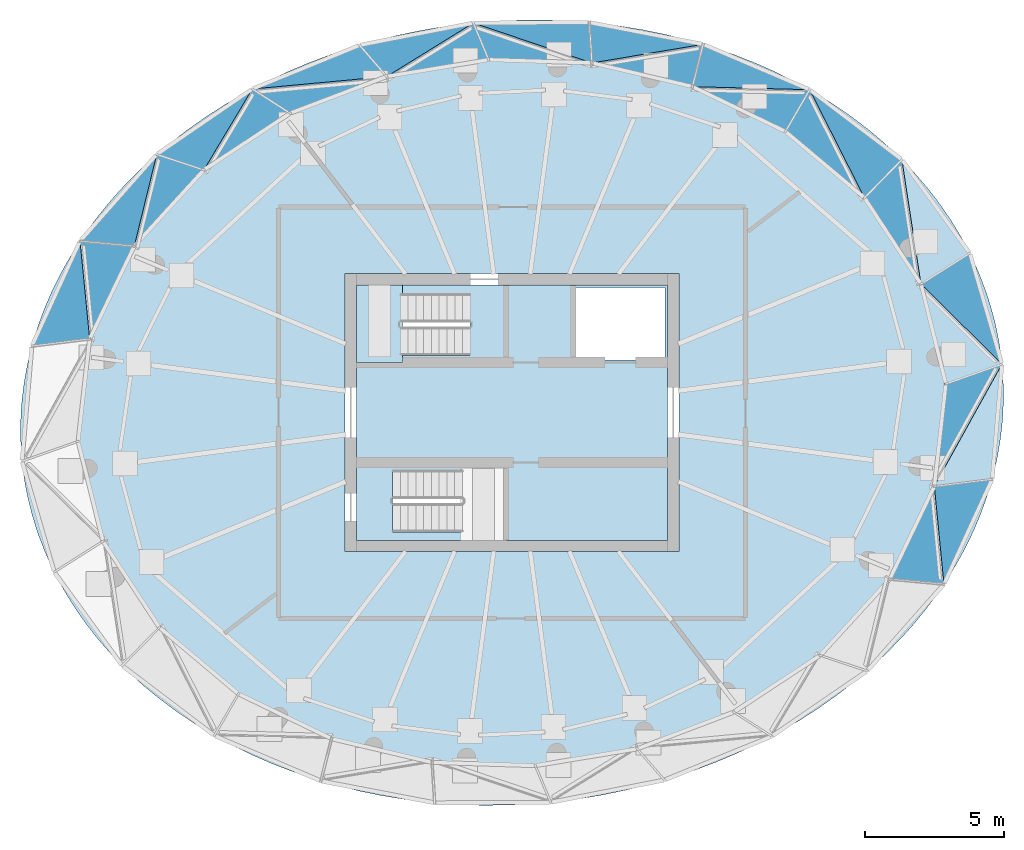
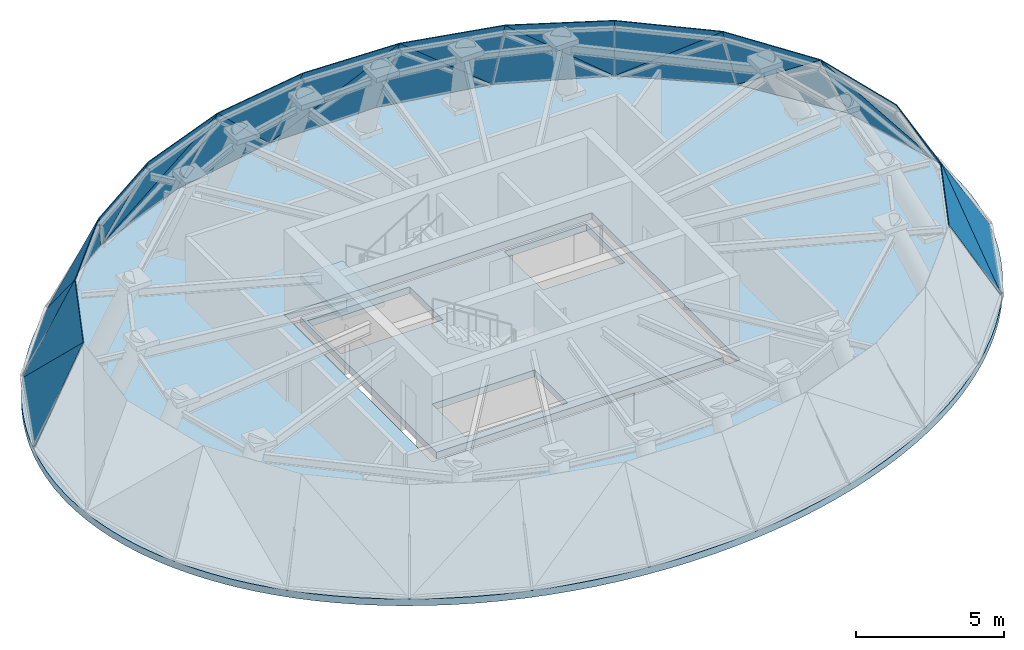
# One storey, part 6 of 9: 26 plates, 3 slabs, 27 elements without a shape of their own.
"""IFC4 building model written with IfcOpenShell, lengths in metres."""

from ifc_helpers import new_model, si_unit, direction, frame, origin, place, context, subcontext, project, spatial, line, indexed_curve, outline, extrude, material, layer, layer_set, type_object, element, aggregate, save


model = new_model("IFC4")

# Units and contexts
model_context = context("Model", 3, precision=1e-05, world=origin(), true_north=direction((0.0, 1.0)))
body_context = subcontext(model_context, "Body", "Model", "MODEL_VIEW")
ifc_project = project(units=[si_unit("LENGTHUNIT", "METRE"), si_unit("AREAUNIT", "SQUARE_METRE"), si_unit("VOLUMEUNIT", "CUBIC_METRE"), si_unit("PLANEANGLEUNIT", "RADIAN"), si_unit("MASSUNIT", "GRAM", prefix="KILO")], contexts=[model_context])

# Site, building, storey
site_placement = place(None, origin())
site = spatial("IfcSite", under=ifc_project, at=site_placement, CompositionType="ELEMENT")
building_placement = place(site_placement, origin())
building = spatial("IfcBuilding", under=site, at=building_placement, Name="Spindrift Exchange Tower", CompositionType="ELEMENT")
storey_placement = place(building_placement, frame((0.0, 0.0, 276.60009765625)))
storey = spatial("IfcBuildingStorey", under=building, at=storey_placement, Name="L68", CompositionType="ELEMENT", Elevation=276.60009765625)

# Curtain wall, plate
ifc_material_1 = material(Name="Fritted laminated glass with bronze frame", Category="glass")
ifc_layer_1 = layer(ifc_material_1, 0.14990234375)
ifc_layer_set_1 = layer_set([ifc_layer_1], Name="CROWN BRONZE RAKED GLAZED WALL")
curtain_wall_type = type_object("IfcCurtainWallType", Name="CROWN BRONZE RAKED GLAZED WALL", PredefinedType="NOTDEFINED", material=ifc_layer_set_1)
curtain_wall_1_placement = place(storey_placement, origin())
curtain_wall_1 = element("IfcCurtainWall", 1, at=curtain_wall_1_placement, inside=storey, type_object=curtain_wall_type, Name="L68 Crown Bronze Raked Glazed Wall facet 1", PredefinedType="NOTDEFINED")
ifc_material_2 = material(Name="Bronze fritted laminated glass, close frit", Category="glass")
ifc_layer_2 = layer(ifc_material_2, 0.030029296875)
ifc_layer_set_2 = layer_set([ifc_layer_2], Name="CROWN BRONZE RAKED GLAZED WALL PANEL CLOSE FRIT 300")
plate_type_1 = type_object("IfcPlateType", Name="CROWN BRONZE RAKED GLAZED WALL PANEL CLOSE FRIT 300", PredefinedType="CURTAIN_PANEL", material=ifc_layer_set_2)
plate_1_placement = place(storey_placement, frame((69.62939453125, 49.748046875, 0.014892578125), z_axis=(0.833367262215, 0.242302411429, 0.496778167478), x_axis=(-0.279189627312, 0.960235987662, 0.0)))
plate_1 = element("IfcPlate", 2, at=plate_1_placement, type_object=plate_type_1, Name="L68 panel CW-R.1a", PredefinedType="CURTAIN_PANEL", context=body_context, shape_type="SweptSolid", body=[
    extrude(outline(indexed_curve([(0.0, 0.0), (4.1533203125, 0.0), (3.578125, 4.015625)], segments=[line(1, 2, 3, 1)], self_intersect=False)), origin(), (0.0, 0.0, -1.0), 0.030029296875),
])
aggregate(curtain_wall_1, [plate_1])

curtain_wall_2_placement = place(storey_placement, origin())
curtain_wall_2 = element("IfcCurtainWall", 3, at=curtain_wall_2_placement, inside=storey, type_object=curtain_wall_type, Name="L68 Crown Bronze Raked Glazed Wall facet 2", PredefinedType="NOTDEFINED")
plate_2_placement = place(storey_placement, frame((69.62939453125, 49.748046875, 0.015380859375), z_axis=(0.827661235758, 0.206029914355, 0.522042673748), x_axis=(-0.541917100592, 0.535289533438, 0.647912780764)))
plate_2 = element("IfcPlate", 4, at=plate_2_placement, type_object=plate_type_1, Name="L68 panel CW-R.1b", PredefinedType="CURTAIN_PANEL", context=body_context, shape_type="SweptSolid", body=[
    extrude(outline(indexed_curve([(0.0, 0.0), (5.3779296875, 0.0), (2.9697265625, 2.8134765625)], segments=[line(1, 2, 3, 1)], self_intersect=False)), origin(), (0.0, 0.0, -1.0), 0.030029296875),
])
aggregate(curtain_wall_2, [plate_2])

curtain_wall_3_placement = place(storey_placement, origin())
curtain_wall_3 = element("IfcCurtainWall", 5, at=curtain_wall_3_placement, inside=storey, type_object=curtain_wall_type, Name="L68 Crown Bronze Raked Glazed Wall facet 13", PredefinedType="NOTDEFINED")
plate_3_placement = place(storey_placement, frame((50.60986328125, 62.020263671875, 0.01025390625), z_axis=(-0.17989175507, 0.920318972764, 0.347349888194), x_axis=(-0.981426932005, -0.19183632903, 0.0)))
plate_3 = element("IfcPlate", 6, at=plate_3_placement, type_object=plate_type_1, Name="L68 panel CW-R.7a", PredefinedType="CURTAIN_PANEL", context=body_context, shape_type="SweptSolid", body=[
    extrude(outline(indexed_curve([(0.0, 0.0), (4.1708984375, 0.0), (3.4296875, 3.7216796875)], segments=[line(1, 2, 3, 1)], self_intersect=False)), origin(), (0.0, 0.0, -1.0), 0.030029296875),
])
aggregate(curtain_wall_3, [plate_3])

curtain_wall_4_placement = place(storey_placement, origin())
curtain_wall_4 = element("IfcCurtainWall", 7, at=curtain_wall_4_placement, inside=storey, type_object=curtain_wall_type, Name="L68 Crown Bronze Raked Glazed Wall facet 14", PredefinedType="NOTDEFINED")
plate_4_placement = place(storey_placement, frame((50.60986328125, 62.020263671875, 0.010986328125), z_axis=(-0.151004470374, 0.916272682918, 0.371001375287), x_axis=(-0.616129744322, -0.380726688523, 0.689515283955)))
plate_4 = element("IfcPlate", 8, at=plate_4_placement, type_object=plate_type_1, Name="L68 panel CW-R.7b", PredefinedType="CURTAIN_PANEL", context=body_context, shape_type="SweptSolid", body=[
    extrude(outline(indexed_curve([(0.0, 0.0), (5.060546875, 0.0), (2.5703125, 2.759765625)], segments=[line(1, 2, 3, 1)], self_intersect=False)), origin(), (0.0, 0.0, -1.0), 0.030029296875),
])
aggregate(curtain_wall_4, [plate_4])

curtain_wall_5_placement = place(storey_placement, origin())
curtain_wall_5 = element("IfcCurtainWall", 9, at=curtain_wall_5_placement, inside=storey, type_object=curtain_wall_type, Name="L68 Crown Bronze Raked Glazed Wall facet 19", PredefinedType="NOTDEFINED")
plate_5_placement = place(storey_placement, frame((39.21728515625, 57.2900390625, 0.01220703125), z_axis=(-0.682177391467, 0.603419434954, 0.412939453298), x_axis=(-0.662546052068, -0.749021180534, 0.0)))
plate_5 = element("IfcPlate", 10, at=plate_5_placement, type_object=plate_type_1, Name="L68 panel CW-R.10a", PredefinedType="CURTAIN_PANEL", context=body_context, shape_type="SweptSolid", body=[
    extrude(outline(indexed_curve([(0.0, 0.0), (4.1640625, 0.0), (3.0068359375, 3.8291015625)], segments=[line(1, 2, 3, 1)], self_intersect=False)), origin(), (0.0, 0.0, -1.0), 0.030029296875),
])
aggregate(curtain_wall_5, [plate_5])

curtain_wall_6_placement = place(storey_placement, origin())
curtain_wall_6 = element("IfcCurtainWall", 11, at=curtain_wall_6_placement, inside=storey, type_object=curtain_wall_type, Name="L68 Crown Bronze Raked Glazed Wall facet 20", PredefinedType="NOTDEFINED")
plate_6_placement = place(storey_placement, frame((39.21728515625, 57.2900390625, 0.0126953125), z_axis=(-0.668869532809, 0.611074819926, 0.423321523824), x_axis=(-0.165843261079, -0.677765852279, 0.716330553752)))
plate_6 = element("IfcPlate", 12, at=plate_6_placement, type_object=plate_type_1, Name="L68 panel CW-R.10b", PredefinedType="CURTAIN_PANEL", context=body_context, shape_type="SweptSolid", body=[
    extrude(outline(indexed_curve([(0.0, 0.0), (4.8681640625, 0.0), (2.595703125, 2.935546875)], segments=[line(1, 2, 3, 1)], self_intersect=False)), origin(), (0.0, 0.0, -1.0), 0.030029296875),
])
aggregate(curtain_wall_6, [plate_6])

curtain_wall_7_placement = place(storey_placement, origin())
curtain_wall_7 = element("IfcCurtainWall", 13, at=curtain_wall_7_placement, inside=storey, type_object=curtain_wall_type, Name="L68 Crown Bronze Raked Glazed Wall facet 5", PredefinedType="NOTDEFINED")
ifc_layer_3 = layer(ifc_material_2, 0.030029296875)
ifc_layer_set_3 = layer_set([ifc_layer_3], Name="CROWN BRONZE RAKED GLAZED WALL PANEL CLOSE FRIT 420")
plate_type_2 = type_object("IfcPlateType", Name="CROWN BRONZE RAKED GLAZED WALL PANEL CLOSE FRIT 420", PredefinedType="CURTAIN_PANEL", material=ifc_layer_set_3)
plate_7_placement = place(storey_placement, frame((62.709716796875, 59.619384765625, 0.014404296875), z_axis=(0.530183837166, 0.698871681371, 0.480086941903), x_axis=(0.796688350583, -0.604390330867, 0.0)))
plate_7 = element("IfcPlate", 14, at=plate_7_placement, type_object=plate_type_2, Name="L68 panel CW-R.3a", PredefinedType="CURTAIN_PANEL", context=body_context, shape_type="SweptSolid", body=[
    extrude(outline(indexed_curve([(0.0, 0.0), (4.1640625, 0.0), (3.923828125, -3.9736328125)], segments=[line(1, 2, 3, 1)], self_intersect=False)), origin(), (0.0, 0.0, -1.0), 0.030029296875),
])
aggregate(curtain_wall_7, [plate_7])

curtain_wall_8_placement = place(storey_placement, origin())
curtain_wall_8 = element("IfcCurtainWall", 15, at=curtain_wall_8_placement, inside=storey, type_object=curtain_wall_type, Name="L68 Crown Bronze Raked Glazed Wall facet 6", PredefinedType="NOTDEFINED")
plate_8_placement = place(storey_placement, frame((62.709716796875, 59.619384765625, 0.01318359375), z_axis=(0.57727073069, 0.687494135701, 0.440579523883), x_axis=(0.353256855509, -0.696721663544, 0.624330455436)))
plate_8 = element("IfcPlate", 16, at=plate_8_placement, type_object=plate_type_2, Name="L68 panel CW-R.3b", PredefinedType="CURTAIN_PANEL", context=body_context, shape_type="SweptSolid", body=[
    extrude(outline(indexed_curve([(0.0, 0.0), (5.5849609375, 0.0), (2.9169921875, -2.58203125)], segments=[line(1, 2, 3, 1)], self_intersect=False)), origin(), (0.0, 0.0, -1.0), 0.030029296875),
])
aggregate(curtain_wall_8, [plate_8])

curtain_wall_9_placement = place(storey_placement, origin())
curtain_wall_9 = element("IfcCurtainWall", 17, at=curtain_wall_9_placement, inside=storey, type_object=curtain_wall_type, Name="L68 Crown Bronze Raked Glazed Wall facet 7", PredefinedType="NOTDEFINED")
plate_9_placement = place(storey_placement, frame((62.709716796875, 59.619384765625, 0.01220703125), z_axis=(0.358110786117, 0.840604992789, 0.406374102232), x_axis=(-0.919994254775, 0.391931845072, 0.0)))
plate_9 = element("IfcPlate", 18, at=plate_9_placement, type_object=plate_type_2, Name="L68 panel CW-R.4a", PredefinedType="CURTAIN_PANEL", context=body_context, shape_type="SweptSolid", body=[
    extrude(outline(indexed_curve([(0.0, 0.0), (4.16796875, 0.0), (3.921875, 3.8173828125)], segments=[line(1, 2, 3, 1)], self_intersect=False)), origin(), (0.0, 0.0, -1.0), 0.030029296875),
])
aggregate(curtain_wall_9, [plate_9])

curtain_wall_10_placement = place(storey_placement, origin())
curtain_wall_10 = element("IfcCurtainWall", 19, at=curtain_wall_10_placement, inside=storey, type_object=curtain_wall_type, Name="L68 Crown Bronze Raked Glazed Wall facet 8", PredefinedType="NOTDEFINED")
plate_10_placement = place(storey_placement, frame((62.709716796875, 59.619384765625, 0.01318359375), z_axis=(0.389062051822, 0.806607847871, 0.444988201623), x_axis=(-0.770466512361, 0.020120463062, 0.637162867952)))
plate_10 = element("IfcPlate", 20, at=plate_10_placement, type_object=plate_type_2, Name="L68 panel CW-R.4b", PredefinedType="CURTAIN_PANEL", context=body_context, shape_type="SweptSolid", body=[
    extrude(outline(indexed_curve([(0.0, 0.0), (5.47265625, 0.0), (2.861328125, 2.6435546875)], segments=[line(1, 2, 3, 1)], self_intersect=False)), origin(), (0.0, 0.0, -1.0), 0.030029296875),
])
aggregate(curtain_wall_10, [plate_10])

curtain_wall_11_placement = place(storey_placement, origin())
curtain_wall_11 = element("IfcCurtainWall", 21, at=curtain_wall_11_placement, inside=storey, type_object=curtain_wall_type, Name="L68 Crown Bronze Raked Glazed Wall facet 9", PredefinedType="NOTDEFINED")
plate_11_placement = place(storey_placement, frame((58.875244140625, 61.2529296875, 0.010986328125), z_axis=(0.174809687081, 0.910247771411, 0.375353923576), x_axis=(-0.982054026779, 0.188599810413, 0.0)))
plate_11 = element("IfcPlate", 22, at=plate_11_placement, type_object=plate_type_2, Name="L68 panel CW-R.5a", PredefinedType="CURTAIN_PANEL", context=body_context, shape_type="SweptSolid", body=[
    extrude(outline(indexed_curve([(0.0, 0.0), (4.169921875, 0.0), (3.80078125, 3.7646484375)], segments=[line(1, 2, 3, 1)], self_intersect=False)), origin(), (0.0, 0.0, -1.0), 0.030029296875),
])
aggregate(curtain_wall_11, [plate_11])

curtain_wall_12_placement = place(storey_placement, origin())
curtain_wall_12 = element("IfcCurtainWall", 23, at=curtain_wall_12_placement, inside=storey, type_object=curtain_wall_type, Name="L68 Crown Bronze Raked Glazed Wall facet 10", PredefinedType="NOTDEFINED")
plate_12_placement = place(storey_placement, frame((58.875244140625, 61.2529296875, 0.01220703125), z_axis=(0.209209629031, 0.887508812763, 0.410559908403), x_axis=(-0.747728115877, -0.125382073881, 0.652059813419)))
plate_12 = element("IfcPlate", 24, at=plate_12_placement, type_object=plate_type_2, Name="L68 panel CW-R.5b", PredefinedType="CURTAIN_PANEL", context=body_context, shape_type="SweptSolid", body=[
    extrude(outline(indexed_curve([(0.0, 0.0), (5.3486328125, 0.0), (2.7509765625, 2.658203125)], segments=[line(1, 2, 3, 1)], self_intersect=False)), origin(), (0.0, 0.0, -1.0), 0.030029296875),
])
aggregate(curtain_wall_12, [plate_12])

curtain_wall_13_placement = place(storey_placement, origin())
curtain_wall_13 = element("IfcCurtainWall", 25, at=curtain_wall_13_placement, inside=storey, type_object=curtain_wall_type, Name="L68 Crown Bronze Raked Glazed Wall facet 21", PredefinedType="NOTDEFINED")
plate_13_placement = place(storey_placement, frame((36.458251953125, 54.1708984375, 0.013427734375), z_axis=(-0.809326647537, 0.371159165859, 0.455226593231), x_axis=(-0.416856837223, -0.908972154282, 0.0)))
plate_13 = element("IfcPlate", 26, at=plate_13_placement, type_object=plate_type_2, Name="L68 panel CW-R.11a", PredefinedType="CURTAIN_PANEL", context=body_context, shape_type="SweptSolid", body=[
    extrude(outline(indexed_curve([(0.0, 0.0), (4.1591796875, 0.0), (3.0576171875, 3.916015625)], segments=[line(1, 2, 3, 1)], self_intersect=False)), origin(), (0.0, 0.0, -1.0), 0.030029296875),
])
aggregate(curtain_wall_13, [plate_13])

curtain_wall_14_placement = place(storey_placement, origin())
curtain_wall_14 = element("IfcCurtainWall", 27, at=curtain_wall_14_placement, inside=storey, type_object=curtain_wall_type, Name="L68 Crown Bronze Raked Glazed Wall facet 22", PredefinedType="NOTDEFINED")
plate_14_placement = place(storey_placement, frame((36.458251953125, 54.1708984375, 0.013916015625), z_axis=(-0.797376216913, 0.383164639846, 0.466236021209), x_axis=(0.069587386044, -0.709044354404, 0.701721952907)))
plate_14 = element("IfcPlate", 28, at=plate_14_placement, type_object=plate_type_2, Name="L68 panel CW-R.11b", PredefinedType="CURTAIN_PANEL", context=body_context, shape_type="SweptSolid", body=[
    extrude(outline(indexed_curve([(0.0, 0.0), (4.9677734375, 0.0), (2.7099609375, 2.94140625)], segments=[line(1, 2, 3, 1)], self_intersect=False)), origin(), (0.0, 0.0, -1.0), 0.030029296875),
])
aggregate(curtain_wall_14, [plate_14])

curtain_wall_15_placement = place(storey_placement, origin())
curtain_wall_15 = element("IfcCurtainWall", 29, at=curtain_wall_15_placement, inside=storey, type_object=curtain_wall_type, Name="L68 Crown Bronze Raked Glazed Wall facet 3", PredefinedType="NOTDEFINED")
ifc_layer_4 = layer(ifc_material_2, 0.030029296875)
ifc_layer_set_4 = layer_set([ifc_layer_4], Name="CROWN BRONZE RAKED GLAZED WALL PANEL CLOSE FRIT 540")
plate_type_3 = type_object("IfcPlateType", Name="CROWN BRONZE RAKED GLAZED WALL PANEL CLOSE FRIT 540", PredefinedType="CURTAIN_PANEL", material=ifc_layer_set_4)
plate_15_placement = place(storey_placement, frame((66.02734375, 57.1025390625, 0.01513671875), z_axis=(0.695691699612, 0.504801607523, 0.511065941082), x_axis=(0.587291716411, -0.80937533928, 0.0)))
plate_15 = element("IfcPlate", 30, at=plate_15_placement, type_object=plate_type_3, Name="L68 panel CW-R.2a", PredefinedType="CURTAIN_PANEL", context=body_context, shape_type="SweptSolid", body=[
    extrude(outline(indexed_curve([(0.0, 0.0), (4.1591796875, 0.0), (4.0263671875, -4.0546875)], segments=[line(1, 2, 3, 1)], self_intersect=False)), origin(), (0.0, 0.0, -1.0), 0.030029296875),
])
aggregate(curtain_wall_15, [plate_15])

curtain_wall_16_placement = place(storey_placement, origin())
curtain_wall_16 = element("IfcCurtainWall", 31, at=curtain_wall_16_placement, inside=storey, type_object=curtain_wall_type, Name="L68 Crown Bronze Raked Glazed Wall facet 4", PredefinedType="NOTDEFINED")
plate_16_placement = place(storey_placement, frame((66.02734375, 57.1025390625, 0.01416015625), z_axis=(0.736357139507, 0.482518840373, 0.474292875533), x_axis=(0.120309655749, -0.783209023153, 0.610007551417)))
plate_16 = element("IfcPlate", 32, at=plate_16_placement, type_object=plate_type_3, Name="L68 panel CW-R.2b", PredefinedType="CURTAIN_PANEL", context=body_context, shape_type="SweptSolid", body=[
    extrude(outline(indexed_curve([(0.0, 0.0), (5.71484375, 0.0), (3.041015625, -2.5693359375)], segments=[line(1, 2, 3, 1)], self_intersect=False)), origin(), (0.0, 0.0, -1.0), 0.030029296875),
])
aggregate(curtain_wall_16, [plate_16])

curtain_wall_17_placement = place(storey_placement, origin())
curtain_wall_17 = element("IfcCurtainWall", 33, at=curtain_wall_17_placement, inside=storey, type_object=curtain_wall_type, Name="L68 Crown Bronze Raked Glazed Wall facet 11", PredefinedType="NOTDEFINED")
plate_17_placement = place(storey_placement, frame((50.60986328125, 62.020263671875, 0.011474609375), z_axis=(-0.004212998998, 0.922700793342, 0.385493834717), x_axis=(0.999989576246, 0.004565895156, 0.0)))
plate_17 = element("IfcPlate", 34, at=plate_17_placement, type_object=plate_type_3, Name="L68 panel CW-R.6a", PredefinedType="CURTAIN_PANEL", context=body_context, shape_type="SweptSolid", body=[
    extrude(outline(indexed_curve([(0.0, 0.0), (4.1708984375, 0.0), (4.2587890625, -3.7802734375)], segments=[line(1, 2, 3, 1)], self_intersect=False)), origin(), (0.0, 0.0, -1.0), 0.030029296875),
])
aggregate(curtain_wall_17, [plate_17])

curtain_wall_18_placement = place(storey_placement, origin())
curtain_wall_18 = element("IfcCurtainWall", 35, at=curtain_wall_18_placement, inside=storey, type_object=curtain_wall_type, Name="L68 Crown Bronze Raked Glazed Wall facet 12", PredefinedType="NOTDEFINED")
plate_18_placement = place(storey_placement, frame((50.60986328125, 62.020263671875, 0.010498046875), z_axis=(0.029221497888, 0.936256792323, 0.350099018694), x_axis=(0.748950690725, -0.252464921214, 0.612645351258)))
plate_18 = element("IfcPlate", 36, at=plate_18_placement, type_object=plate_type_3, Name="L68 panel CW-R.6b", PredefinedType="CURTAIN_PANEL", context=body_context, shape_type="SweptSolid", body=[
    extrude(outline(indexed_curve([(0.0, 0.0), (5.6953125, 0.0), (2.8837890625, -2.431640625)], segments=[line(1, 2, 3, 1)], self_intersect=False)), origin(), (0.0, 0.0, -1.0), 0.030029296875),
])
aggregate(curtain_wall_18, [plate_18])

curtain_wall_19_placement = place(storey_placement, origin())
curtain_wall_19 = element("IfcCurtainWall", 37, at=curtain_wall_19_placement, inside=storey, type_object=curtain_wall_type, Name="L68 Crown Bronze Raked Glazed Wall facet 15", PredefinedType="NOTDEFINED")
plate_19_placement = place(storey_placement, frame((42.656005859375, 59.644775390625, 0.010986328125), z_axis=(-0.350237796405, 0.858307843228, 0.375021509012), x_axis=(0.92588233816, 0.377811984833, 0.0)))
plate_19 = element("IfcPlate", 38, at=plate_19_placement, type_object=plate_type_3, Name="L68 panel CW-R.8a", PredefinedType="CURTAIN_PANEL", context=body_context, shape_type="SweptSolid", body=[
    extrude(outline(indexed_curve([(0.0, 0.0), (4.169921875, 0.0), (4.6474609375, -3.763671875)], segments=[line(1, 2, 3, 1)], self_intersect=False)), origin(), (0.0, 0.0, -1.0), 0.030029296875),
])
aggregate(curtain_wall_19, [plate_19])

curtain_wall_20_placement = place(storey_placement, origin())
curtain_wall_20 = element("IfcCurtainWall", 39, at=curtain_wall_20_placement, inside=storey, type_object=curtain_wall_type, Name="L68 Crown Bronze Raked Glazed Wall facet 16", PredefinedType="NOTDEFINED")
plate_20_placement = place(storey_placement, frame((42.656005859375, 59.644775390625, 0.01025390625), z_axis=(-0.33319543999, 0.875861429082, 0.349066692506), x_axis=(0.808633785814, 0.075070802772, 0.583503020568)))
plate_20 = element("IfcPlate", 40, at=plate_20_placement, type_object=plate_type_3, Name="L68 panel CW-R.8b", PredefinedType="CURTAIN_PANEL", context=body_context, shape_type="SweptSolid", body=[
    extrude(outline(indexed_curve([(0.0, 0.0), (5.98046875, 0.0), (3.072265625, -2.314453125)], segments=[line(1, 2, 3, 1)], self_intersect=False)), origin(), (0.0, 0.0, -1.0), 0.030029296875),
])
aggregate(curtain_wall_20, [plate_20])

curtain_wall_21_placement = place(storey_placement, origin())
curtain_wall_21 = element("IfcCurtainWall", 41, at=curtain_wall_21_placement, inside=storey, type_object=curtain_wall_type, Name="L68 Crown Bronze Raked Glazed Wall facet 17", PredefinedType="NOTDEFINED")
plate_21_placement = place(storey_placement, frame((42.656005859375, 59.644775390625, 0.01123046875), z_axis=(-0.523331179804, 0.764242578283, 0.37690550246), x_axis=(-0.825091672938, -0.564998877209, 0.0)))
plate_21 = element("IfcPlate", 42, at=plate_21_placement, type_object=plate_type_3, Name="L68 panel CW-R.9a", PredefinedType="CURTAIN_PANEL", context=body_context, shape_type="SweptSolid", body=[
    extrude(outline(indexed_curve([(0.0, 0.0), (4.16796875, 0.0), (3.083984375, 3.7666015625)], segments=[line(1, 2, 3, 1)], self_intersect=False)), origin(), (0.0, 0.0, -1.0), 0.030029296875),
])
aggregate(curtain_wall_21, [plate_21])

curtain_wall_22_placement = place(storey_placement, origin())
curtain_wall_22 = element("IfcCurtainWall", 43, at=curtain_wall_22_placement, inside=storey, type_object=curtain_wall_type, Name="L68 Crown Bronze Raked Glazed Wall facet 18", PredefinedType="NOTDEFINED")
plate_22_placement = place(storey_placement, frame((42.656005859375, 59.644775390625, 0.01171875), z_axis=(-0.505847046692, 0.769419981548, 0.390014945031), x_axis=(-0.357924848008, -0.598581156968, 0.716652218096)))
plate_22 = element("IfcPlate", 44, at=plate_22_placement, type_object=plate_type_3, Name="L68 panel CW-R.9b", PredefinedType="CURTAIN_PANEL", context=body_context, shape_type="SweptSolid", body=[
    extrude(outline(indexed_curve([(0.0, 0.0), (4.8671875, 0.0), (2.5341796875, 2.8916015625)], segments=[line(1, 2, 3, 1)], self_intersect=False)), origin(), (0.0, 0.0, -1.0), 0.030029296875),
])
aggregate(curtain_wall_22, [plate_22])

curtain_wall_23_placement = place(storey_placement, origin())
curtain_wall_23 = element("IfcCurtainWall", 45, at=curtain_wall_23_placement, inside=storey, type_object=curtain_wall_type, Name="L68 Crown Bronze Raked Glazed Wall facet 45", PredefinedType="NOTDEFINED")
plate_23_placement = place(storey_placement, frame((67.541748046875, 41.8291015625, 0.013427734375), z_axis=(0.809326647537, -0.371159165859, 0.455226593231), x_axis=(0.416856837223, 0.908972154282, 0.0)))
plate_23 = element("IfcPlate", 46, at=plate_23_placement, type_object=plate_type_3, Name="L68 panel CW-R.23a", PredefinedType="CURTAIN_PANEL", context=body_context, shape_type="SweptSolid", body=[
    extrude(outline(indexed_curve([(0.0, 0.0), (4.1591796875, 0.0), (3.0576171875, 3.916015625)], segments=[line(1, 2, 3, 1)], self_intersect=False)), origin(), (0.0, 0.0, -1.0), 0.030029296875),
])
aggregate(curtain_wall_23, [plate_23])

curtain_wall_24_placement = place(storey_placement, origin())
curtain_wall_24 = element("IfcCurtainWall", 47, at=curtain_wall_24_placement, inside=storey, type_object=curtain_wall_type, Name="L68 Crown Bronze Raked Glazed Wall facet 46", PredefinedType="NOTDEFINED")
plate_24_placement = place(storey_placement, frame((67.541748046875, 41.8291015625, 0.013916015625), z_axis=(0.797376216913, -0.383164639846, 0.466236021209), x_axis=(-0.069587386044, 0.709044354404, 0.701721952907)))
plate_24 = element("IfcPlate", 48, at=plate_24_placement, type_object=plate_type_3, Name="L68 panel CW-R.23b", PredefinedType="CURTAIN_PANEL", context=body_context, shape_type="SweptSolid", body=[
    extrude(outline(indexed_curve([(0.0, 0.0), (4.9677734375, 0.0), (2.7099609375, 2.94140625)], segments=[line(1, 2, 3, 1)], self_intersect=False)), origin(), (0.0, 0.0, -1.0), 0.030029296875),
])
aggregate(curtain_wall_24, [plate_24])

curtain_wall_25_placement = place(storey_placement, origin())
curtain_wall_25 = element("IfcCurtainWall", 49, at=curtain_wall_25_placement, inside=storey, type_object=curtain_wall_type, Name="L68 Crown Bronze Raked Glazed Wall facet 47", PredefinedType="NOTDEFINED")
plate_25_placement = place(storey_placement, frame((69.62939453125, 49.748046875, 0.01513671875), z_axis=(0.858810253876, -0.073458876128, 0.506999744926), x_axis=(-0.085224432551, -0.996361779725, 0.0)))
plate_25 = element("IfcPlate", 50, at=plate_25_placement, type_object=plate_type_3, Name="L68 panel CW-R.24a", PredefinedType="CURTAIN_PANEL", context=body_context, shape_type="SweptSolid", body=[
    extrude(outline(indexed_curve([(0.0, 0.0), (4.1533203125, 0.0), (4.587890625, -4.04296875)], segments=[line(1, 2, 3, 1)], self_intersect=False)), origin(), (0.0, 0.0, -1.0), 0.030029296875),
])
aggregate(curtain_wall_25, [plate_25])

curtain_wall_26_placement = place(storey_placement, origin())
curtain_wall_26 = element("IfcCurtainWall", 51, at=curtain_wall_26_placement, inside=storey, type_object=curtain_wall_type, Name="L68 Crown Bronze Raked Glazed Wall facet 48", PredefinedType="NOTDEFINED")
plate_26_placement = place(storey_placement, frame((69.62939453125, 49.748046875, 0.014404296875), z_axis=(0.869663253738, -0.097712379905, 0.483878203591), x_axis=(-0.39789710961, -0.718905503146, 0.56995856666)))
plate_26 = element("IfcPlate", 52, at=plate_26_placement, type_object=plate_type_3, Name="L68 panel CW-R.24b", PredefinedType="CURTAIN_PANEL", context=body_context, shape_type="SweptSolid", body=[
    extrude(outline(indexed_curve([(0.0, 0.0), (6.115234375, 0.0), (3.3046875, -2.412109375)], segments=[line(1, 2, 3, 1)], self_intersect=False)), origin(), (0.0, 0.0, -1.0), 0.030029296875),
])
aggregate(curtain_wall_26, [plate_26])

# Slabs
ifc_material_3 = material(Name="Concrete 40 MPa", Category="concrete")
ifc_layer_5 = layer(ifc_material_3, 0.280029296875)
ifc_layer_set_5 = layer_set([ifc_layer_5], Name="RC Floor Slab 280 Concrete 40 MPa")
slab_type_1 = type_object("IfcSlabType", Name="RC Floor Slab 280 Concrete 40 MPa", PredefinedType="FLOOR", material=ifc_layer_set_5)
slab_1_placement = place(storey_placement, frame((0.0, 0.0, -0.280029296875)))
element("IfcSlab", 53, at=slab_1_placement, inside=storey, type_object=slab_type_1, Name="Floor slab L68", PredefinedType="FLOOR", context=body_context, shape_type="SweptSolid", body=[
    extrude(outline(indexed_curve([(69.62939453125, 49.748046875), (69.560546875, 50.300537109375), (69.51611328125, 50.575439453125), (69.406494140625, 51.121337890625), (69.27001953125, 51.661376953125), (69.107421875, 52.19384765625), (69.0166015625, 52.45703125), (68.81591796875, 52.9765625), (68.70654296875, 53.232421875), (68.4697265625, 53.736572265625), (68.209716796875, 54.22900390625), (68.0712890625, 54.470703125), (67.77880859375, 54.9443359375), (67.46533203125, 55.40478515625), (67.301513671875, 55.629638671875), (66.959228515625, 56.069091796875), (66.59912109375, 56.49365234375), (66.41259765625, 56.700439453125), (66.221923828125, 56.903564453125), (65.828857421875, 57.2978515625), (65.4208984375, 57.677001953125), (65.21142578125, 57.860595703125), (64.782958984375, 58.216064453125), (64.116455078125, 58.719482421875), (63.42431640625, 59.187255859375), (62.9501953125, 59.479248046875), (62.2216796875, 59.8876953125), (61.474365234375, 60.2607421875), (60.71044921875, 60.598876953125), (59.93212890625, 60.902099609375), (59.141357421875, 61.1708984375), (58.339599609375, 61.40576171875), (57.529052734375, 61.60693359375), (56.710693359375, 61.77490234375), (55.886474609375, 61.909912109375), (55.0576171875, 62.012451171875), (54.22509765625, 62.082763671875), (53.6689453125, 62.11181640625), (53.1123046875, 62.126708984375), (52.277099609375, 62.12255859375), (51.4423828125, 62.087158203125), (50.60986328125, 62.020263671875), (49.7802734375, 61.92236328125), (49.2294921875, 61.839599609375), (48.68115234375, 61.743408203125), (47.86328125, 61.572998046875), (47.052734375, 61.37158203125), (46.25048828125, 61.13916015625), (45.457763671875, 60.8759765625), (44.67578125, 60.58154296875), (43.906494140625, 60.256103515625), (43.151123046875, 59.899658203125), (42.411376953125, 59.511962890625), (41.688720703125, 59.093017578125), (40.985107421875, 58.64306640625), (40.302490234375, 58.16162109375), (39.642822265625, 57.649169921875), (39.0087890625, 57.10546875), (38.60107421875, 56.72607421875), (38.014404296875, 56.131591796875), (37.64111328125, 55.718505859375), (37.4599609375, 55.5068359375), (37.109375, 55.07421875), (36.940185546875, 54.85302734375), (36.614501953125, 54.4013671875), (36.306640625, 53.937255859375), (36.159423828125, 53.700927734375), (35.8798828125, 53.21923828125), (35.74755859375, 52.974365234375), (35.498291015625, 52.476318359375), (35.381591796875, 52.2236328125), (35.164794921875, 51.710693359375), (34.970947265625, 51.188720703125), (34.8828125, 50.924560546875), (34.724609375, 50.390625), (34.59130859375, 49.85009765625), (34.5341796875, 49.577392578125), (34.439453125, 49.02880859375), (34.37109375, 48.47607421875), (34.34716796875, 48.198486328125), (34.319580078125, 47.642578125), (34.31591796875, 47.364013671875), (34.32958984375, 46.807373046875), (34.37060546875, 46.251953125), (34.439453125, 45.699462890625), (34.48388671875, 45.424560546875), (34.593505859375, 44.878662109375), (34.72998046875, 44.338623046875), (34.892578125, 43.80615234375), (34.9833984375, 43.54296875), (35.18408203125, 43.0234375), (35.29345703125, 42.767578125), (35.5302734375, 42.263427734375), (35.790283203125, 41.77099609375), (35.9287109375, 41.529296875), (36.22119140625, 41.0556640625), (36.53466796875, 40.59521484375), (36.698486328125, 40.370361328125), (37.040771484375, 39.930908203125), (37.21875, 39.716796875), (37.58740234375, 39.299560546875), (37.778076171875, 39.096435546875), (38.171142578125, 38.7021484375), (38.5791015625, 38.322998046875), (38.78857421875, 38.139404296875), (39.217041015625, 37.783935546875), (39.883544921875, 37.280517578125), (40.57568359375, 36.812744140625), (41.0498046875, 36.520751953125), (41.7783203125, 36.1123046875), (42.525634765625, 35.7392578125), (43.28955078125, 35.401123046875), (44.06787109375, 35.097900390625), (44.858642578125, 34.8291015625), (45.660400390625, 34.59423828125), (46.470947265625, 34.39306640625), (47.289306640625, 34.22509765625), (48.113525390625, 34.090087890625), (48.9423828125, 33.987548828125), (49.77490234375, 33.917236328125), (50.3310546875, 33.88818359375), (50.8876953125, 33.873291015625), (51.722900390625, 33.87744140625), (52.5576171875, 33.912841796875), (53.39013671875, 33.979736328125), (54.2197265625, 34.07763671875), (54.7705078125, 34.160400390625), (55.31884765625, 34.256591796875), (56.13671875, 34.427001953125), (56.947265625, 34.62841796875), (57.74951171875, 34.86083984375), (58.542236328125, 35.1240234375), (59.32421875, 35.41845703125), (60.093505859375, 35.743896484375), (60.848876953125, 36.100341796875), (61.588623046875, 36.488037109375), (62.311279296875, 36.906982421875), (63.014892578125, 37.35693359375), (63.697509765625, 37.83837890625), (64.357177734375, 38.350830078125), (64.9912109375, 38.89453125), (65.39892578125, 39.27392578125), (65.985595703125, 39.868408203125), (66.35888671875, 40.281494140625), (66.5400390625, 40.4931640625), (66.890625, 40.92578125), (67.059814453125, 41.14697265625), (67.385498046875, 41.5986328125), (67.693359375, 42.062744140625), (67.840576171875, 42.299072265625), (68.1201171875, 42.78076171875), (68.25244140625, 43.025634765625), (68.501708984375, 43.523681640625), (68.618408203125, 43.7763671875), (68.835205078125, 44.289306640625), (69.029052734375, 44.811279296875), (69.1171875, 45.075439453125), (69.275390625, 45.609375), (69.40869140625, 46.14990234375), (69.4658203125, 46.422607421875), (69.560546875, 46.97119140625), (69.62890625, 47.52392578125), (69.65283203125, 47.801513671875), (69.680419921875, 48.357421875), (69.68408203125, 48.635986328125), (69.67041015625, 49.192626953125)], segments=[line(1, 2, 3, 4, 5, 6, 7, 8, 9, 10, 11, 12, 13, 14, 15, 16, 17, 18, 19, 20, 21, 22, 23, 24, 25, 26, 27, 28, 29, 30, 31, 32, 33, 34, 35, 36, 37, 38, 39, 40, 41, 42, 43, 44, 45, 46, 47, 48, 49, 50, 51, 52, 53, 54, 55, 56, 57, 58, 59, 60, 61, 62, 63, 64, 65, 66, 67, 68, 69, 70, 71, 72, 73, 74, 75, 76, 77, 78, 79, 80, 81, 82, 83, 84, 85, 86, 87, 88, 89, 90, 91, 92, 93, 94, 95, 96, 97, 98, 99, 100, 101, 102, 103, 104, 105, 106, 107, 108, 109, 110, 111, 112, 113, 114, 115, 116, 117, 118, 119, 120, 121, 122, 123, 124, 125, 126, 127, 128, 129, 130, 131, 132, 133, 134, 135, 136, 137, 138, 139, 140, 141, 142, 143, 144, 145, 146, 147, 148, 149, 150, 151, 152, 153, 154, 155, 156, 157, 158, 159, 160, 161, 162, 163, 164, 165, 166, 1)], self_intersect=False), holes=[indexed_curve([(46.0, 43.0), (58.0, 43.0), (58.0, 53.0), (46.0, 53.0)], segments=[line(1, 2, 3, 4, 1)], self_intersect=False)]), origin(), (0.0, 0.0, 1.0), 0.280029296875),
])
ifc_material_4 = material(Name="Concrete 50 MPa", Category="concrete")
ifc_layer_6 = layer(ifc_material_4, 0.280029296875)
ifc_layer_set_6 = layer_set([ifc_layer_6], Name="SL-CORE-FLOOR-280")
slab_type_2 = type_object("IfcSlabType", Name="SL-CORE-FLOOR-280", PredefinedType="FLOOR", material=ifc_layer_set_6)
slab_2_placement = place(storey_placement, frame((0.0, 0.0, -0.280029296875)))
element("IfcSlab", 54, at=slab_2_placement, inside=storey, type_object=slab_type_2, Name="L68 Core floor slab", PredefinedType="FLOOR", context=body_context, shape_type="SweptSolid", body=[
    extrude(outline(indexed_curve([(46.39990234375, 43.39990234375), (46.39990234375, 52.60009765625), (57.60009765625, 52.60009765625), (57.60009765625, 43.39990234375)], segments=[line(1, 2, 3, 4, 1)], self_intersect=False), holes=[indexed_curve([(47.7060546875, 43.7060546875), (51.694091796875, 43.7060546875), (51.694091796875, 45.944091796875), (47.7060546875, 45.944091796875)], segments=[line(1, 2, 3, 4, 1)], self_intersect=False), indexed_curve([(50.493896484375, 50.055908203125), (50.493896484375, 52.2939453125), (46.506103515625, 52.2939453125), (46.506103515625, 50.055908203125)], segments=[line(1, 2, 3, 4, 1)], self_intersect=False), indexed_curve([(54.300048828125, 49.89990234375), (57.5, 49.89990234375), (57.5, 52.5), (54.300048828125, 52.5)], segments=[line(1, 2, 3, 4, 1)], self_intersect=False)]), origin(), (0.0, 0.0, 1.0), 0.280029296875),
])

# Stair, slab
stair_type = type_object("IfcStairType", Name="ST-1050-R175", PredefinedType="HALF_TURN_STAIR", material=ifc_material_4)
stair_placement = place(storey_placement, origin())
stair = element("IfcStair", 55, at=stair_placement, inside=storey, type_object=stair_type, Name="L68 Exit stair ST3", PredefinedType="HALF_TURN_STAIR")
ifc_layer_7 = layer(ifc_material_4, 0.199951171875)
ifc_layer_set_7 = layer_set([ifc_layer_7], Name="SL-LANDING")
slab_type_3 = type_object("IfcSlabType", Name="SL-LANDING", PredefinedType="LANDING", material=ifc_layer_set_7)
slab_3_placement = place(storey_placement, frame((0.0, 0.0, 1.5498046875)))
slab_3 = element("IfcSlab", 56, at=slab_3_placement, type_object=slab_type_3, Name="ST3 landing 1", PredefinedType="LANDING", context=body_context, shape_type="SweptSolid", body=[
    extrude(outline(indexed_curve([(48.06005859375, 49.800048828125), (46.39990234375, 49.800048828125), (46.39990234375, 52.60009765625), (48.06005859375, 52.60009765625)], segments=[line(1, 2, 3, 4, 1)], self_intersect=False)), origin(), (0.0, 0.0, 1.0), 0.2001953125),
])
aggregate(stair, [slab_3])

save(model, "model.ifc")
